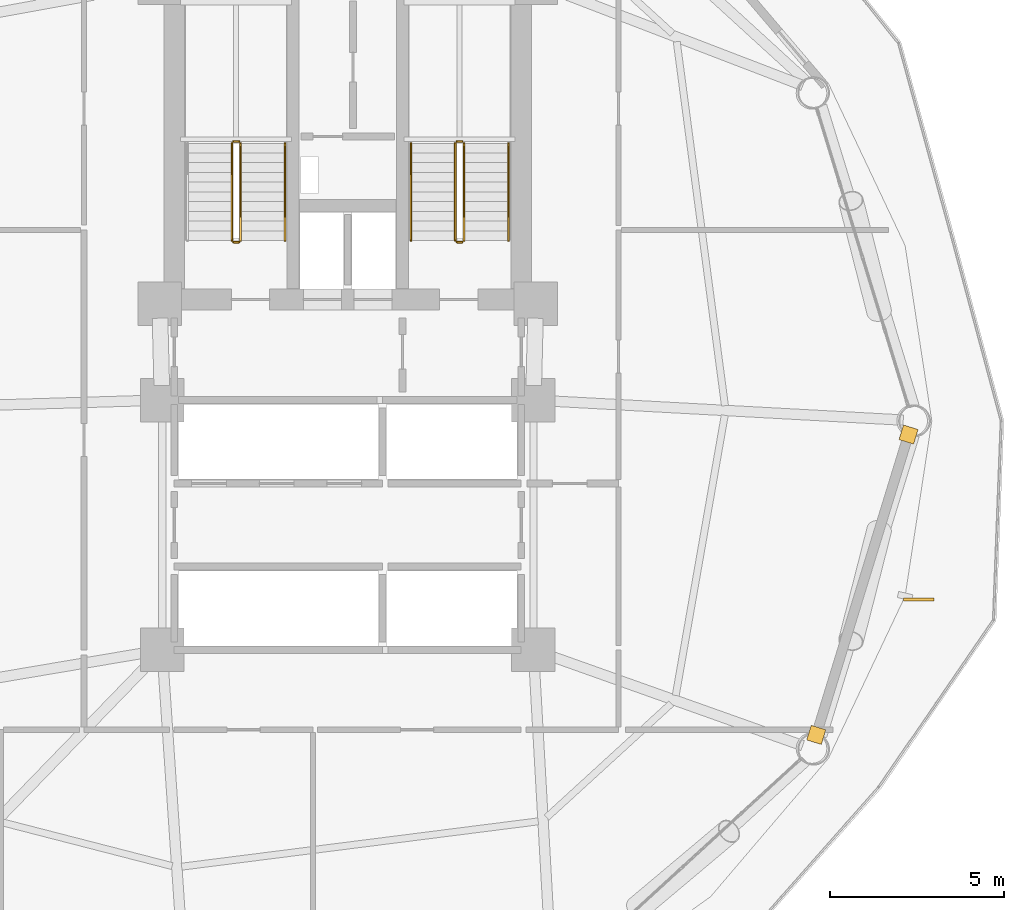
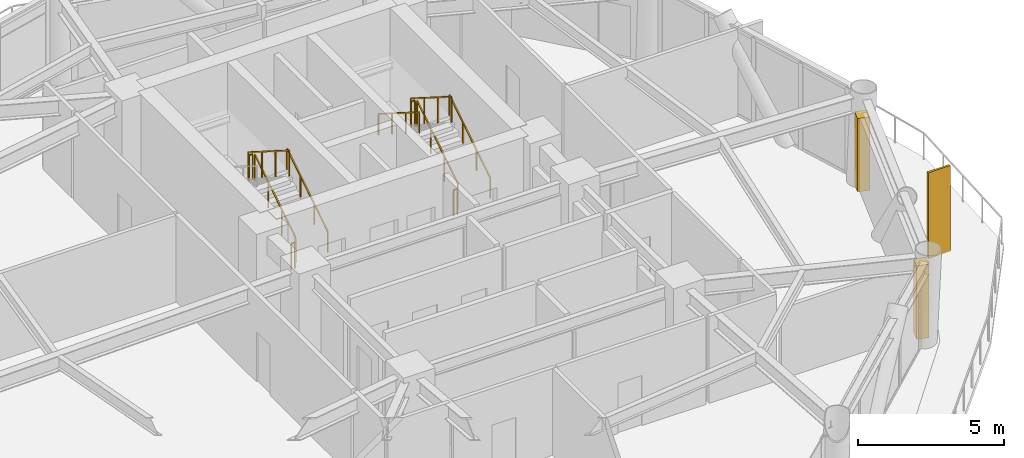
# One storey, part 23 of 24: 11 railings, 2 coverings, 1 shading device.
"""IFC4 building model written with IfcOpenShell, lengths in metres."""

from ifc_helpers import new_model, si_unit, direction, frame, origin, origin_2d, place, context, subcontext, project, spatial, rectangle, extrude, source, transform, mapped, material, layer, layer_set, type_object, type_shapes, element, save


model = new_model("IFC4")

# Units and contexts
model_context = context("Model", 3, precision=1e-05, world=origin(), true_north=direction((0.0, 1.0)))
body_context = subcontext(model_context, "Body", "Model", "MODEL_VIEW")
ifc_project = project(units=[si_unit("LENGTHUNIT", "METRE"), si_unit("AREAUNIT", "SQUARE_METRE"), si_unit("VOLUMEUNIT", "CUBIC_METRE"), si_unit("PLANEANGLEUNIT", "RADIAN"), si_unit("MASSUNIT", "GRAM", prefix="KILO")], contexts=[model_context])

# Site, building, storey
site_placement = place(None, origin())
site = spatial("IfcSite", under=ifc_project, at=site_placement, CompositionType="ELEMENT")
building_placement = place(site_placement, origin())
building = spatial("IfcBuilding", under=site, at=building_placement, Name="Varnakorn Sky Granary", CompositionType="ELEMENT")
storey_placement = place(building_placement, frame((0.0, 0.0, 43.199951171875)))
storey = spatial("IfcBuildingStorey", under=building, at=storey_placement, Name="L10", CompositionType="ELEMENT", Elevation=43.199951171875)

# Railings
ifc_material_1 = material(Name="Brushed Stainless Steel 316", Category="steel")
railing_type_1 = type_object("IfcRailingType", Name="RL-STAIR-1100", PredefinedType="GUARDRAIL", material=ifc_material_1)
railing_1_placement = place(storey_placement, frame((-0.090087890625, 5.199951171875, 0.17724609375)))
element("IfcRailing", 1, at=railing_1_placement, inside=storey, type_object=railing_type_1, Name="L10 ST-1 stair guard 1", PredefinedType="GUARDRAIL", context=body_context, shape_type="SweptSolid", body=[
    extrude(rectangle(XDim=0.048095703125, YDim=0.048095703125, at=origin_2d()), frame((0.0, 0.0, 1.076171875), z_axis=(0.0, 0.844908973607, 0.534910110503), x_axis=(-1.0, 0.0, 0.0)), (0.0, 0.0, 1.0), 3.31396484375),
    extrude(rectangle(XDim=0.0419921875, YDim=0.0419921875, at=origin_2d()), origin(), (0.0, 0.0, 1.0), 1.048095703125),
    extrude(rectangle(XDim=0.0419921875, YDim=0.0419921875, at=origin_2d()), frame((0.0, 0.933349609375, 0.5908203125)), (0.0, 0.0, 1.0), 1.048095703125),
    extrude(rectangle(XDim=0.0419921875, YDim=0.0419921875, at=origin_2d()), frame((0.0, 1.86669921875, 1.181884765625)), (0.0, 0.0, 1.0), 1.048095703125),
    extrude(rectangle(XDim=0.0419921875, YDim=0.0419921875, at=origin_2d()), frame((0.0, 2.800048828125, 1.772705078125)), (0.0, 0.0, 1.0), 1.048095703125),
])
railing_2_placement = place(storey_placement, frame((-0.139892578125, 8.050048828125, 1.949951171875)))
element("IfcRailing", 2, at=railing_2_placement, inside=storey, type_object=railing_type_1, Name="L10 ST-1 stair guard 2", PredefinedType="GUARDRAIL", context=body_context, shape_type="SweptSolid", body=[
    extrude(rectangle(XDim=0.048095703125, YDim=0.048095703125, at=origin_2d()), frame((0.0, 0.0, 1.076171875), z_axis=(-1.0, 0.0, 0.0), x_axis=(0.0, -1.0, 0.0)), (0.0, 0.0, 1.0), 0.150146484375),
    extrude(rectangle(XDim=0.0419921875, YDim=0.0419921875, at=origin_2d()), origin(), (0.0, 0.0, 1.0), 1.048095703125),
    extrude(rectangle(XDim=0.0419921875, YDim=0.0419921875, at=origin_2d()), frame((-0.150146484375, 0.0, 0.0)), (0.0, 0.0, 1.0), 1.048095703125),
])
railing_3_placement = place(storey_placement, frame((-0.340087890625, 8.0, 2.12744140625)))
element("IfcRailing", 3, at=railing_3_placement, inside=storey, type_object=railing_type_1, Name="L10 ST-1 stair guard 3", PredefinedType="GUARDRAIL", context=body_context, shape_type="SweptSolid", body=[
    extrude(rectangle(XDim=0.048095703125, YDim=0.048095703125, at=origin_2d()), frame((0.0, 0.0, 1.076171875), z_axis=(0.0, -0.844908973607, 0.534910110503), x_axis=(1.0, 0.0, 0.0)), (0.0, 0.0, 1.0), 3.31396484375),
    extrude(rectangle(XDim=0.0419921875, YDim=0.0419921875, at=origin_2d()), origin(), (0.0, 0.0, 1.0), 1.048095703125),
    extrude(rectangle(XDim=0.0419921875, YDim=0.0419921875, at=origin_2d()), frame((0.0, -0.933349609375, 0.5908203125)), (0.0, 0.0, 1.0), 1.048095703125),
    extrude(rectangle(XDim=0.0419921875, YDim=0.0419921875, at=origin_2d()), frame((0.0, -1.86669921875, 1.181884765625)), (0.0, 0.0, 1.0), 1.048095703125),
    extrude(rectangle(XDim=0.0419921875, YDim=0.0419921875, at=origin_2d()), frame((0.0, -2.800048828125, 1.772705078125)), (0.0, 0.0, 1.0), 1.048095703125),
])
railing_4_placement = place(storey_placement, frame((-0.139892578125, 5.14990234375, 0.0)))
element("IfcRailing", 4, at=railing_4_placement, inside=storey, type_object=railing_type_1, Name="L10 ST-1 stair guard 4", PredefinedType="GUARDRAIL", context=body_context, shape_type="SweptSolid", body=[
    extrude(rectangle(XDim=0.048095703125, YDim=0.048095703125, at=origin_2d()), frame((0.0, 0.0, 1.076171875), z_axis=(-1.0, 0.0, 0.0), x_axis=(0.0, -1.0, 0.0)), (0.0, 0.0, 1.0), 0.150146484375),
    extrude(rectangle(XDim=0.0419921875, YDim=0.0419921875, at=origin_2d()), origin(), (0.0, 0.0, 1.0), 1.048095703125),
    extrude(rectangle(XDim=0.0419921875, YDim=0.0419921875, at=origin_2d()), frame((-0.150146484375, 0.0, 0.0)), (0.0, 0.0, 1.0), 1.048095703125),
])
railing_5_placement = place(storey_placement, frame((6.35009765625, 5.199951171875, 0.17724609375)))
element("IfcRailing", 5, at=railing_5_placement, inside=storey, type_object=railing_type_1, Name="L10 ST-2 stair guard 1", PredefinedType="GUARDRAIL", context=body_context, shape_type="SweptSolid", body=[
    extrude(rectangle(XDim=0.048095703125, YDim=0.048095703125, at=origin_2d()), frame((0.0, 0.0, 1.076171875), z_axis=(0.0, 0.844908973607, 0.534910110503), x_axis=(-1.0, 0.0, 0.0)), (0.0, 0.0, 1.0), 3.31396484375),
    extrude(rectangle(XDim=0.0419921875, YDim=0.0419921875, at=origin_2d()), origin(), (0.0, 0.0, 1.0), 1.048095703125),
    extrude(rectangle(XDim=0.0419921875, YDim=0.0419921875, at=origin_2d()), frame((0.0, 0.933349609375, 0.5908203125)), (0.0, 0.0, 1.0), 1.048095703125),
    extrude(rectangle(XDim=0.0419921875, YDim=0.0419921875, at=origin_2d()), frame((0.0, 1.86669921875, 1.181884765625)), (0.0, 0.0, 1.0), 1.048095703125),
    extrude(rectangle(XDim=0.0419921875, YDim=0.0419921875, at=origin_2d()), frame((0.0, 2.800048828125, 1.772705078125)), (0.0, 0.0, 1.0), 1.048095703125),
])
railing_6_placement = place(storey_placement, frame((6.300048828125, 8.050048828125, 1.949951171875)))
element("IfcRailing", 6, at=railing_6_placement, inside=storey, type_object=railing_type_1, Name="L10 ST-2 stair guard 2", PredefinedType="GUARDRAIL", context=body_context, shape_type="SweptSolid", body=[
    extrude(rectangle(XDim=0.048095703125, YDim=0.048095703125, at=origin_2d()), frame((0.0, 0.0, 1.076171875), z_axis=(-1.0, 0.0, 0.0), x_axis=(0.0, -1.0, 0.0)), (0.0, 0.0, 1.0), 0.150146484375),
    extrude(rectangle(XDim=0.0419921875, YDim=0.0419921875, at=origin_2d()), origin(), (0.0, 0.0, 1.0), 1.048095703125),
    extrude(rectangle(XDim=0.0419921875, YDim=0.0419921875, at=origin_2d()), frame((-0.150146484375, 0.0, 0.0)), (0.0, 0.0, 1.0), 1.048095703125),
])
railing_7_placement = place(storey_placement, frame((6.10009765625, 8.0, 2.12744140625)))
element("IfcRailing", 7, at=railing_7_placement, inside=storey, type_object=railing_type_1, Name="L10 ST-2 stair guard 3", PredefinedType="GUARDRAIL", context=body_context, shape_type="SweptSolid", body=[
    extrude(rectangle(XDim=0.048095703125, YDim=0.048095703125, at=origin_2d()), frame((0.0, 0.0, 1.076171875), z_axis=(0.0, -0.844908973607, 0.534910110503), x_axis=(1.0, 0.0, 0.0)), (0.0, 0.0, 1.0), 3.31396484375),
    extrude(rectangle(XDim=0.0419921875, YDim=0.0419921875, at=origin_2d()), origin(), (0.0, 0.0, 1.0), 1.048095703125),
    extrude(rectangle(XDim=0.0419921875, YDim=0.0419921875, at=origin_2d()), frame((0.0, -0.933349609375, 0.5908203125)), (0.0, 0.0, 1.0), 1.048095703125),
    extrude(rectangle(XDim=0.0419921875, YDim=0.0419921875, at=origin_2d()), frame((0.0, -1.86669921875, 1.181884765625)), (0.0, 0.0, 1.0), 1.048095703125),
    extrude(rectangle(XDim=0.0419921875, YDim=0.0419921875, at=origin_2d()), frame((0.0, -2.800048828125, 1.772705078125)), (0.0, 0.0, 1.0), 1.048095703125),
])
railing_8_placement = place(storey_placement, frame((6.300048828125, 5.14990234375, 0.0)))
element("IfcRailing", 8, at=railing_8_placement, inside=storey, type_object=railing_type_1, Name="L10 ST-2 stair guard 4", PredefinedType="GUARDRAIL", context=body_context, shape_type="SweptSolid", body=[
    extrude(rectangle(XDim=0.048095703125, YDim=0.048095703125, at=origin_2d()), frame((0.0, 0.0, 1.076171875), z_axis=(-1.0, 0.0, 0.0), x_axis=(0.0, -1.0, 0.0)), (0.0, 0.0, 1.0), 0.150146484375),
    extrude(rectangle(XDim=0.0419921875, YDim=0.0419921875, at=origin_2d()), origin(), (0.0, 0.0, 1.0), 1.048095703125),
    extrude(rectangle(XDim=0.0419921875, YDim=0.0419921875, at=origin_2d()), frame((-0.150146484375, 0.0, 0.0)), (0.0, 0.0, 1.0), 1.048095703125),
])
railing_type_2 = type_object("IfcRailingType", Name="RL-STAIR-920", PredefinedType="HANDRAIL", material=ifc_material_1)
for number, where, name in (
    (9, (1.18994140625, 5.199951171875, 0.17724609375), "L10 ST-1 stair handrail 1"),
    (10, (7.6298828125, 5.199951171875, 0.17724609375), "L10 ST-2 stair handrail 1"),
):
    element("IfcRailing", number, at=place(storey_placement, frame(where)), inside=storey, type_object=railing_type_2, Name=name, PredefinedType="HANDRAIL", context=body_context, shape_type="SweptSolid", body=[
        extrude(rectangle(XDim=0.048095703125, YDim=0.048095703125, at=origin_2d()), frame((0.0, 0.0, 0.8759765625), z_axis=(0.0, 0.844908973607, 0.534910110503), x_axis=(-1.0, 0.0, 0.0)), (0.0, 0.0, 1.0), 3.31396484375),
        extrude(rectangle(XDim=0.0419921875, YDim=0.0419921875, at=origin_2d()), origin(), (0.0, 0.0, 1.0), 0.847900390625),
        extrude(rectangle(XDim=0.0419921875, YDim=0.0419921875, at=origin_2d()), frame((0.0, 0.933349609375, 0.5908203125)), (0.0, 0.0, 1.0), 0.847900390625),
        extrude(rectangle(XDim=0.0419921875, YDim=0.0419921875, at=origin_2d()), frame((0.0, 1.86669921875, 1.181884765625)), (0.0, 0.0, 1.0), 0.847900390625),
        extrude(rectangle(XDim=0.0419921875, YDim=0.0419921875, at=origin_2d()), frame((0.0, 2.800048828125, 1.772705078125)), (0.0, 0.0, 1.0), 0.847900390625),
    ])
railing_9_placement = place(storey_placement, frame((4.820068359375, 8.0, 2.12744140625)))
element("IfcRailing", 11, at=railing_9_placement, inside=storey, type_object=railing_type_2, Name="L10 ST-2 stair handrail 2", PredefinedType="HANDRAIL", context=body_context, shape_type="SweptSolid", body=[
    extrude(rectangle(XDim=0.048095703125, YDim=0.048095703125, at=origin_2d()), frame((0.0, 0.0, 0.8759765625), z_axis=(0.0, -0.844908973607, 0.534910110503), x_axis=(1.0, 0.0, 0.0)), (0.0, 0.0, 1.0), 3.31396484375),
    extrude(rectangle(XDim=0.0419921875, YDim=0.0419921875, at=origin_2d()), origin(), (0.0, 0.0, 1.0), 0.847900390625),
    extrude(rectangle(XDim=0.0419921875, YDim=0.0419921875, at=origin_2d()), frame((0.0, -0.933349609375, 0.5908203125)), (0.0, 0.0, 1.0), 0.847900390625),
    extrude(rectangle(XDim=0.0419921875, YDim=0.0419921875, at=origin_2d()), frame((0.0, -1.86669921875, 1.181884765625)), (0.0, 0.0, 1.0), 0.847900390625),
    extrude(rectangle(XDim=0.0419921875, YDim=0.0419921875, at=origin_2d()), frame((0.0, -2.800048828125, 1.772705078125)), (0.0, 0.0, 1.0), 0.847900390625),
])

# Shading device
ifc_material_2 = material(Name="Anodised Bronze Aluminium Alloy 6063-T6", Category="aluminium")
shading_device_type = type_object("IfcShadingDeviceType", Name="SH-FIN-01", PredefinedType="USERDEFINED", material=ifc_material_2)
shared_shape_1 = source(origin(), body_context, "Body", "SweptSolid", [
    extrude(rectangle(XDim=0.0849609375, YDim=0.8798828125, at=origin_2d()), origin(), (0.0, 0.0, 1.0), 3.60009765625),
])
type_shapes(shading_device_type, [shared_shape_1])
shading_device_placement = place(storey_placement, frame((19.45068359375, -5.14599609375, -0.0400390625), z_axis=(0.0, 0.0, 1.0), x_axis=(-0.00661170055, 0.999978142469, 0.0)))
element("IfcShadingDevice", 12, at=shading_device_placement, inside=storey, type_object=shading_device_type, Name="Bronze Solar-Tracking Vertical Blade FIN L10-12", ObjectType="FIN", PredefinedType="USERDEFINED", context=body_context, shape_type="MappedRepresentation", body=[
    mapped(shared_shape_1, transform((0.0, 0.0, 0.0), x_axis=(1.0, 0.0, 0.0), y_axis=(0.0, 1.0, 0.0), z_axis=(0.0, 0.0, 1.0), scale=1.0)),
])

# Coverings
ifc_layer = layer(ifc_material_2, 0.050048828125, Name="Anodised Bronze Aluminium Alloy 6063-T6")
ifc_layer_set = layer_set([ifc_layer], Name="Anodised Bronze Aluminium Alloy 6063-T6")
covering_type = type_object("IfcCoveringType", Name="CV-CLAD-50", PredefinedType="CLADDING", material=ifc_layer_set)
shared_shape_2 = source(origin(), body_context, "Body", "SweptSolid", [
    extrude(rectangle(XDim=0.43994140625, YDim=0.43994140625, at=origin_2d()), origin(), (0.0, 0.0, 1.0), 3.080078125),
])
type_shapes(covering_type, [shared_shape_2])
for number, where, z_axis, x_axis, name in (
    (13, (19.160888671875, -0.393798828125, -0.02001953125), (0.0, 0.0, 1.0), (-0.293706672624, -0.955895596002, 0.0), "Bronze Corner Pilaster Closure L10-P12-A"),
    (14, (16.501708984375, -9.048095703125, -0.02001953125), (0.0, 0.0, 1.0), (-0.293706672624, -0.955895596002, 0.0), "Bronze Corner Pilaster Closure L10-P12-B"),
):
    element("IfcCovering", number, at=place(storey_placement, frame(where, z_axis=z_axis, x_axis=x_axis)), inside=storey, type_object=covering_type, Name=name, PredefinedType="CLADDING", context=body_context, shape_type="MappedRepresentation", body=[
        mapped(shared_shape_2, transform((0.0, 0.0, 0.0), x_axis=(1.0, 0.0, 0.0), y_axis=(0.0, 1.0, 0.0), z_axis=(0.0, 0.0, 1.0), scale=1.0)),
    ])

save(model, "model.ifc")
